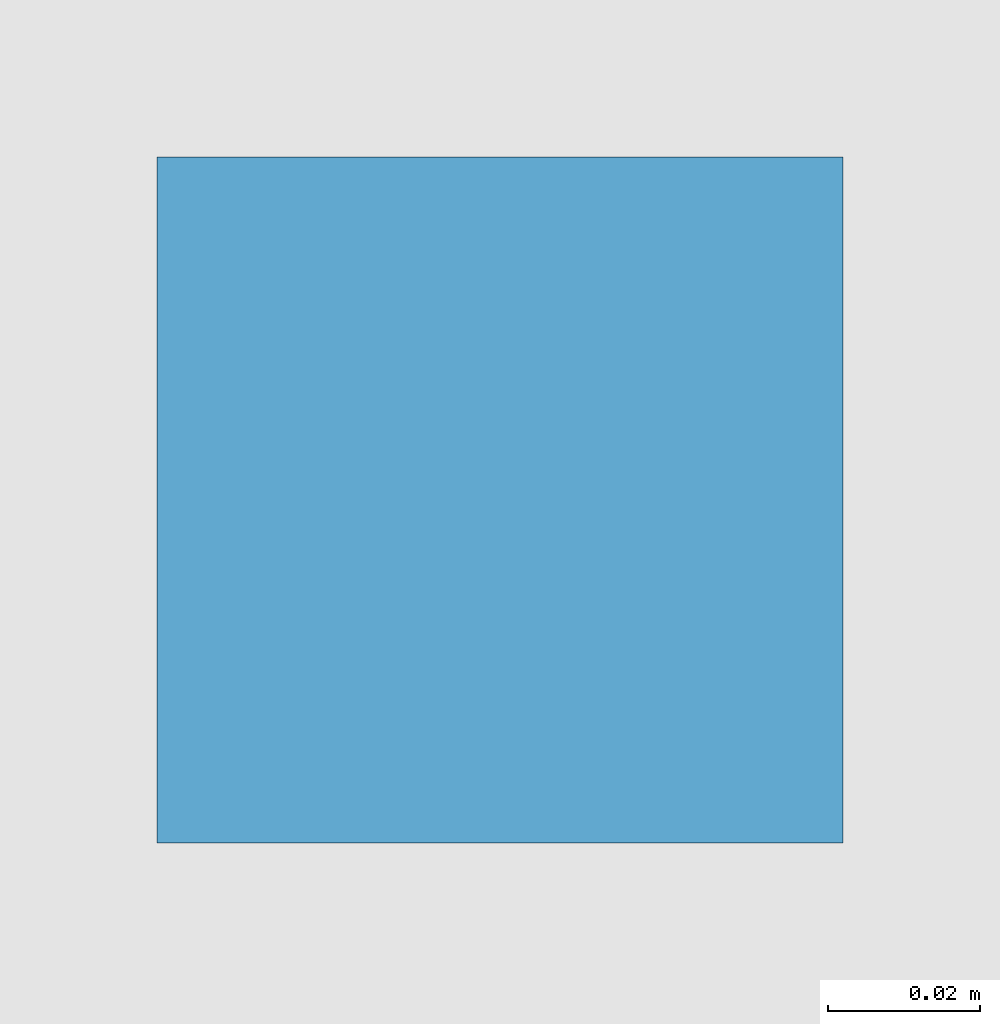
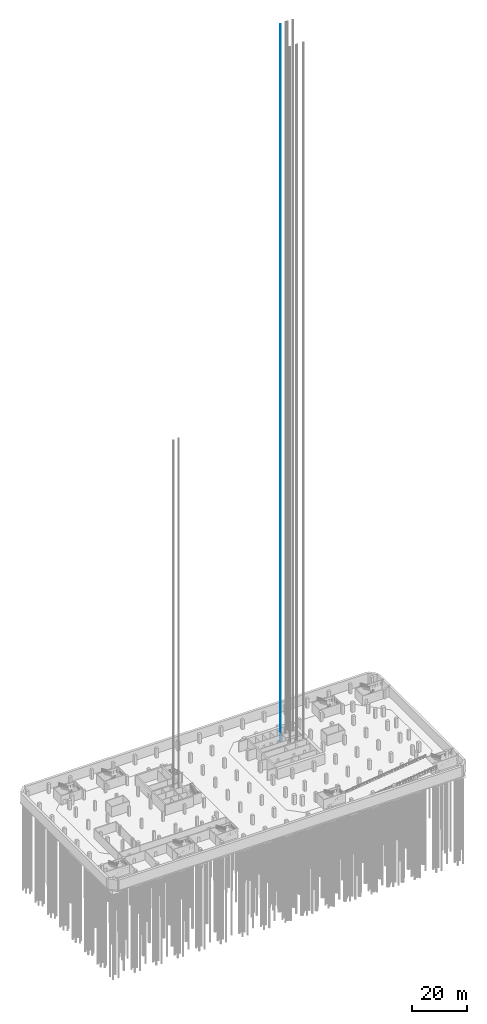
# One storey, part 12 of 30: 1 member.
"""IFC4 building model written with IfcOpenShell, lengths in metres."""

from ifc_helpers import new_model, si_unit, direction, frame, origin, origin_2d, place, context, subcontext, project, spatial, rectangle, extrude, material, material_profile, profile_set, type_object, element, save


model = new_model("IFC4")

# Units and contexts
model_context = context("Model", 3, precision=1e-05, world=origin(), true_north=direction((0.0, 1.0)))
body_context = subcontext(model_context, "Body", "Model", "MODEL_VIEW")
ifc_project = project(units=[si_unit("LENGTHUNIT", "METRE"), si_unit("AREAUNIT", "SQUARE_METRE"), si_unit("VOLUMEUNIT", "CUBIC_METRE"), si_unit("PLANEANGLEUNIT", "RADIAN"), si_unit("MASSUNIT", "GRAM", prefix="KILO")], contexts=[model_context])

# Site, building, storey
site_placement = place(None, origin())
site = spatial("IfcSite", under=ifc_project, at=site_placement, CompositionType="ELEMENT")
building_placement = place(site_placement, origin())
building = spatial("IfcBuilding", under=site, at=building_placement, Name="Cinnabar Reach Civic Tower", CompositionType="ELEMENT")
storey_placement = place(building_placement, frame((0.0, 0.0, -14.0)))
storey = spatial("IfcBuildingStorey", under=building, at=storey_placement, Name="B3", CompositionType="ELEMENT", Elevation=-14.0)

# Member
ifc_material = material(Name="Steel Q355B", Category="steel")
ifc_material_profile = material_profile(ifc_material, rectangle(XDim=0.09, YDim=0.09, at=origin_2d()), Name="T1 lift guide rail")
ifc_profile_set = profile_set([ifc_material_profile], Name="Steel Q355B")
member_type = type_object("IfcMemberType", Name="T1 lift guide rail", PredefinedType="USERDEFINED", material=ifc_profile_set)
member_placement = place(storey_placement, frame((16.87, 40.25, 0.0), z_axis=(0.0, 0.0, 1.0), x_axis=(1.0, 0.0, 0.0)))
element("IfcMember", 1, at=member_placement, inside=storey, type_object=member_type, Name="T1-FF1 guide rail 1", ObjectType="GUIDE RAIL", PredefinedType="USERDEFINED", context=body_context, shape_type="SweptSolid", body=[
    extrude(rectangle(XDim=0.09, YDim=0.09, at=origin_2d()), origin(), (0.0, 0.0, 1.0), 316.7),
])

save(model, "model.ifc")
